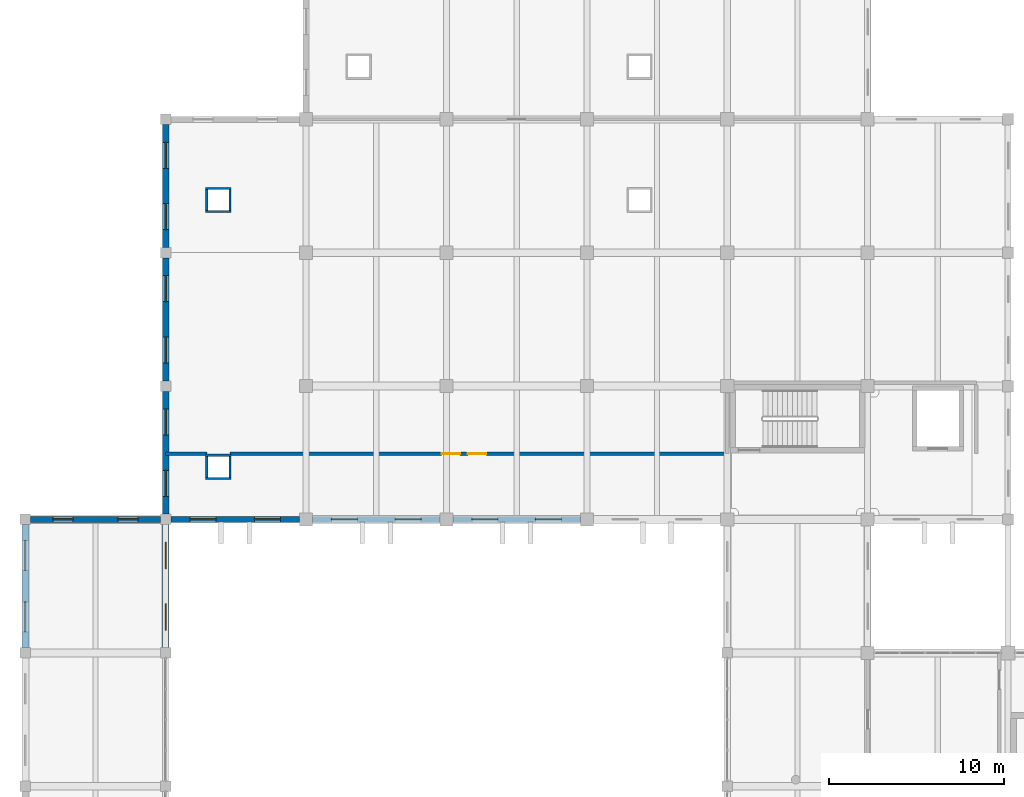
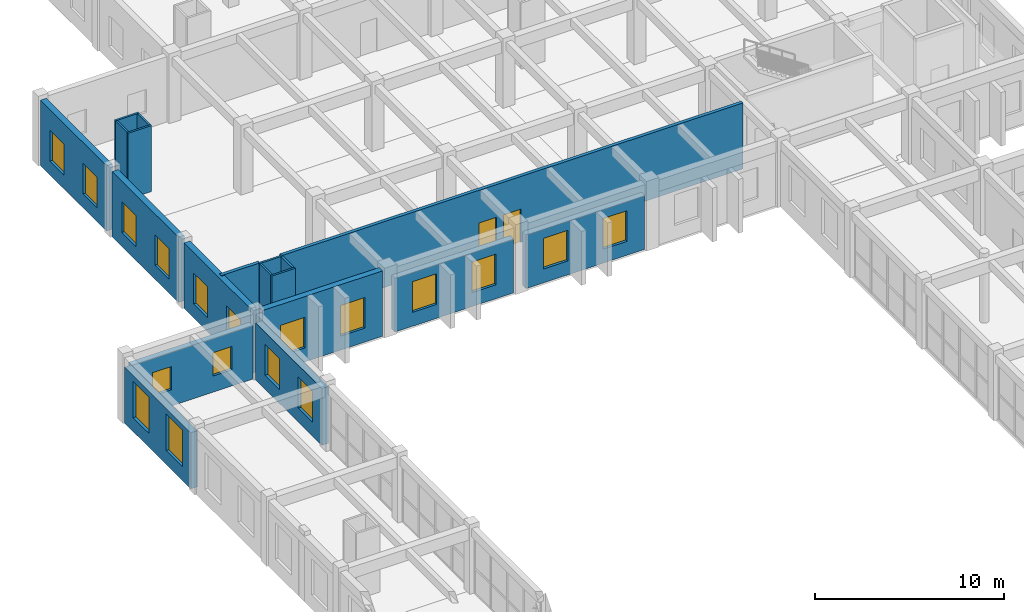
# One storey, part 57 of 79: 19 walls, 18 windows, 2 doors, 20 openings.
"""IFC4 building model written with IfcOpenShell, lengths in metres."""

from ifc_helpers import new_model, si_unit, direction, frame, frame_2d, origin, place, context, subcontext, project, spatial, rectangle, extrude, material, layer, layer_set, type_object, element, fill, save


model = new_model("IFC4")

# Units and contexts
model_context = context("Model", 3, precision=1e-05, world=origin(), true_north=direction((0.0, 1.0)))
body_context = subcontext(model_context, "Body", "Model", "MODEL_VIEW")
ifc_project = project(units=[si_unit("LENGTHUNIT", "METRE"), si_unit("AREAUNIT", "SQUARE_METRE"), si_unit("VOLUMEUNIT", "CUBIC_METRE"), si_unit("PLANEANGLEUNIT", "RADIAN"), si_unit("MASSUNIT", "GRAM", prefix="KILO")], contexts=[model_context])

# Site, building, storey
site_placement = place(None, origin())
site = spatial("IfcSite", under=ifc_project, at=site_placement, CompositionType="ELEMENT")
building_placement = place(site_placement, origin())
building = spatial("IfcBuilding", under=site, at=building_placement, Name="Zantavel Square City Hall", CompositionType="ELEMENT")
storey_placement = place(building_placement, frame((0.0, 0.0, 10.199951171875)))
storey = spatial("IfcBuildingStorey", under=building, at=storey_placement, Name="L03", CompositionType="ELEMENT", Elevation=10.199951171875)

# Wall, openings, windows
ifc_material_1 = material(Name="Cantera volcanic tuff stone", Category="masonry")
ifc_layer_1 = layer(ifc_material_1, 0.39990234375, Name="Cantera volcanic tuff stone")
ifc_layer_set_1 = layer_set([ifc_layer_1], Name="Cantera volcanic tuff stone")
wall_type_1 = type_object("IfcWallType", Name="Civic Pavilion Cantera Ashlar Wall 400mm", PredefinedType="STANDARD", material=ifc_layer_set_1)
wall_1_placement = place(storey_placement, frame((8.0, 68.699951171875, 0.0), z_axis=(0.0, 0.0, 1.0), x_axis=(0.0, 1.0, 0.0)))
wall_1 = element("IfcWall", 1, at=wall_1_placement, inside=storey, type_object=wall_type_1, Name="L03 Exterior Wall EW-L03-061", PredefinedType="STANDARD", context=body_context, shape_type="SweptSolid", body=[
    extrude(rectangle(XDim=7.0, YDim=0.39990234375, at=frame_2d((3.5, 0.0))), origin(), (0.0, 0.0, 1.0), 3.6201171875),
])
opening_1_placement = place(wall_1_placement, frame((0.89990234375, 0.0, 0.89990234375)))
opening_1 = element("IfcOpeningElement", 2, at=opening_1_placement, cuts=wall_1, Name="Opening W-358", PredefinedType="OPENING", context=body_context, shape_type="SweptSolid", body=[
    extrude(rectangle(XDim=1.699951171875, YDim=2.35009765625, at=frame_2d((0.85009765625, 1.175048828125))), frame((0.0, 0.2099609375, 0.0), z_axis=(0.0, -1.0, 0.0), x_axis=(1.0, 0.0, 0.0)), (0.0, 0.0, 1.0), 0.419921875),
])
opening_2_placement = place(wall_1_placement, frame((4.39990234375, 0.0, 0.89990234375)))
opening_2 = element("IfcOpeningElement", 3, at=opening_2_placement, cuts=wall_1, Name="Opening W-359", PredefinedType="OPENING", context=body_context, shape_type="SweptSolid", body=[
    extrude(rectangle(XDim=1.699951171875, YDim=2.35009765625, at=frame_2d((0.85009765625, 1.175048828125))), frame((0.0, 0.2099609375, 0.0), z_axis=(0.0, -1.0, 0.0), x_axis=(1.0, 0.0, 0.0)), (0.0, 0.0, 1.0), 0.419921875),
])
ifc_material_2 = material(Name="Tempered safety glass low-E double glazing", Category="glass")
window_type_1 = type_object("IfcWindowType", Name="Window Library Reading Tall 1700x2350", PartitioningType="DOUBLE_PANEL_VERTICAL", PredefinedType="WINDOW", material=ifc_material_2)
window_1_placement = place(opening_1_placement, origin())
window_1 = element("IfcWindow", 4, at=window_1_placement, inside=storey, type_object=window_type_1, Name="L03 Window W-358", OverallHeight=2.35009765625, OverallWidth=1.699951171875, PartitioningType="DOUBLE_PANEL_VERTICAL", PredefinedType="WINDOW", context=body_context, shape_type="SweptSolid", body=[
    extrude(rectangle(XDim=1.699951171875, YDim=2.35009765625, at=frame_2d((0.85009765625, 1.175048828125))), frame((0.0, 0.030029296875, 0.0), z_axis=(0.0, -1.0, 0.0), x_axis=(1.0, 0.0, 0.0)), (0.0, 0.0, 1.0), 0.06005859375),
])
fill(opening_1, window_1)
window_2_placement = place(opening_2_placement, origin())
window_2 = element("IfcWindow", 5, at=window_2_placement, inside=storey, type_object=window_type_1, Name="L03 Window W-359", OverallHeight=2.35009765625, OverallWidth=1.699951171875, PartitioningType="DOUBLE_PANEL_VERTICAL", PredefinedType="WINDOW", context=body_context, shape_type="SweptSolid", body=[
    extrude(rectangle(XDim=1.699951171875, YDim=2.35009765625, at=frame_2d((0.85009765625, 1.175048828125))), frame((0.0, 0.030029296875, 0.0), z_axis=(0.0, -1.0, 0.0), x_axis=(1.0, 0.0, 0.0)), (0.0, 0.0, 1.0), 0.06005859375),
])
fill(opening_2, window_2)

wall_2_placement = place(storey_placement, frame((16.0, 75.699951171875, 0.0), z_axis=(0.0, 0.0, 1.0), x_axis=(0.0, -1.0, 0.0)))
wall_2 = element("IfcWall", 6, at=wall_2_placement, inside=storey, type_object=wall_type_1, Name="L03 Exterior Wall EW-L03-079", PredefinedType="STANDARD", context=body_context, shape_type="SweptSolid", body=[
    extrude(rectangle(XDim=7.0, YDim=0.39990234375, at=frame_2d((3.5, 0.0))), origin(), (0.0, 0.0, 1.0), 3.670166015625),
])
opening_3_placement = place(wall_2_placement, frame((1.0, 0.0, 0.89990234375)))
opening_3 = element("IfcOpeningElement", 7, at=opening_3_placement, cuts=wall_2, Name="Opening W-382", PredefinedType="OPENING", context=body_context, shape_type="SweptSolid", body=[
    extrude(rectangle(XDim=1.5, YDim=2.0, at=frame_2d((0.75, 1.0))), frame((0.0, 0.2099609375, 0.0), z_axis=(0.0, -1.0, 0.0), x_axis=(1.0, 0.0, 0.0)), (0.0, 0.0, 1.0), 0.419921875),
])
opening_4_placement = place(wall_2_placement, frame((4.5, 0.0, 0.89990234375)))
opening_4 = element("IfcOpeningElement", 8, at=opening_4_placement, cuts=wall_2, Name="Opening W-383", PredefinedType="OPENING", context=body_context, shape_type="SweptSolid", body=[
    extrude(rectangle(XDim=1.5, YDim=2.0, at=frame_2d((0.75, 1.0))), frame((0.0, 0.2099609375, 0.0), z_axis=(0.0, -1.0, 0.0), x_axis=(1.0, 0.0, 0.0)), (0.0, 0.0, 1.0), 0.419921875),
])
window_type_2 = type_object("IfcWindowType", Name="Window Planning Studio 1500x2000", PartitioningType="DOUBLE_PANEL_VERTICAL", PredefinedType="WINDOW", material=ifc_material_2)
window_3_placement = place(opening_3_placement, origin())
window_3 = element("IfcWindow", 9, at=window_3_placement, inside=storey, type_object=window_type_2, Name="L03 Window W-382", OverallHeight=2.0, OverallWidth=1.5, PartitioningType="DOUBLE_PANEL_VERTICAL", PredefinedType="WINDOW", context=body_context, shape_type="SweptSolid", body=[
    extrude(rectangle(XDim=1.5, YDim=2.0, at=frame_2d((0.75, 1.0))), frame((0.0, 0.030029296875, 0.0), z_axis=(0.0, -1.0, 0.0), x_axis=(1.0, 0.0, 0.0)), (0.0, 0.0, 1.0), 0.06005859375),
])
fill(opening_3, window_3)
window_4_placement = place(opening_4_placement, origin())
window_4 = element("IfcWindow", 10, at=window_4_placement, inside=storey, type_object=window_type_2, Name="L03 Window W-383", OverallHeight=2.0, OverallWidth=1.5, PartitioningType="DOUBLE_PANEL_VERTICAL", PredefinedType="WINDOW", context=body_context, shape_type="SweptSolid", body=[
    extrude(rectangle(XDim=1.5, YDim=2.0, at=frame_2d((0.75, 1.0))), frame((0.0, 0.030029296875, 0.0), z_axis=(0.0, -1.0, 0.0), x_axis=(1.0, 0.0, 0.0)), (0.0, 0.0, 1.0), 0.06005859375),
])
fill(opening_4, window_4)

ifc_layer_2 = layer(ifc_material_1, 0.360107421875, Name="Cantera volcanic tuff stone")
ifc_layer_set_2 = layer_set([ifc_layer_2], Name="Cantera volcanic tuff stone")
wall_type_2 = type_object("IfcWallType", Name="Courtyard Cantera Facade Wall 360mm", PredefinedType="STANDARD", material=ifc_layer_set_2)
wall_3_placement = place(storey_placement, frame((16.0, 76.300048828125, 0.0), z_axis=(0.0, 0.0, 1.0), x_axis=(0.0, 1.0, 0.0)))
wall_3 = element("IfcWall", 11, at=wall_3_placement, inside=storey, type_object=wall_type_2, Name="L03 Exterior Wall EW-L03-002", PredefinedType="STANDARD", context=body_context, shape_type="SweptSolid", body=[
    extrude(rectangle(XDim=7.0, YDim=0.360107421875, at=frame_2d((3.5, 0.0))), origin(), (0.0, 0.0, 1.0), 4.219970703125),
])
opening_5_placement = place(wall_3_placement, frame((1.010009765625, 0.0, 0.89990234375)))
opening_5 = element("IfcOpeningElement", 12, at=opening_5_placement, cuts=wall_3, Name="Opening W-288", PredefinedType="OPENING", context=body_context, shape_type="SweptSolid", body=[
    extrude(rectangle(XDim=1.47998046875, YDim=1.97998046875, at=frame_2d((0.739990234375, 0.989990234375))), frame((0.0, 0.18994140625, 0.0), z_axis=(0.0, -1.0, 0.0), x_axis=(1.0, 0.0, 0.0)), (0.0, 0.0, 1.0), 0.380126953125),
])
opening_6_placement = place(wall_3_placement, frame((4.510009765625, 0.0, 0.89990234375)))
opening_6 = element("IfcOpeningElement", 13, at=opening_6_placement, cuts=wall_3, Name="Opening W-289", PredefinedType="OPENING", context=body_context, shape_type="SweptSolid", body=[
    extrude(rectangle(XDim=1.47998046875, YDim=1.97998046875, at=frame_2d((0.739990234375, 0.989990234375))), frame((0.0, 0.18994140625, 0.0), z_axis=(0.0, -1.0, 0.0), x_axis=(1.0, 0.0, 0.0)), (0.0, 0.0, 1.0), 0.380126953125),
])
window_type_3 = type_object("IfcWindowType", Name="Window Cadastral Studio 1480x1980", PartitioningType="DOUBLE_PANEL_VERTICAL", PredefinedType="WINDOW", material=ifc_material_2)
window_5_placement = place(opening_5_placement, origin())
window_5 = element("IfcWindow", 14, at=window_5_placement, inside=storey, type_object=window_type_3, Name="L03 Window W-288", OverallHeight=1.97998046875, OverallWidth=1.47998046875, PartitioningType="DOUBLE_PANEL_VERTICAL", PredefinedType="WINDOW", context=body_context, shape_type="SweptSolid", body=[
    extrude(rectangle(XDim=1.47998046875, YDim=1.97998046875, at=frame_2d((0.739990234375, 0.989990234375))), frame((0.0, 0.030029296875, 0.0), z_axis=(0.0, -1.0, 0.0), x_axis=(1.0, 0.0, 0.0)), (0.0, 0.0, 1.0), 0.06005859375),
])
fill(opening_5, window_5)
window_6_placement = place(opening_6_placement, origin())
window_6 = element("IfcWindow", 15, at=window_6_placement, inside=storey, type_object=window_type_3, Name="L03 Window W-289", OverallHeight=1.97998046875, OverallWidth=1.47998046875, PartitioningType="DOUBLE_PANEL_VERTICAL", PredefinedType="WINDOW", context=body_context, shape_type="SweptSolid", body=[
    extrude(rectangle(XDim=1.47998046875, YDim=1.97998046875, at=frame_2d((0.739990234375, 0.989990234375))), frame((0.0, 0.030029296875, 0.0), z_axis=(0.0, -1.0, 0.0), x_axis=(1.0, 0.0, 0.0)), (0.0, 0.0, 1.0), 0.06005859375),
])
fill(opening_6, window_6)

wall_4_placement = place(storey_placement, frame((16.0, 83.89990234375, 0.0), z_axis=(0.0, 0.0, 1.0), x_axis=(0.0, 1.0, 0.0)))
wall_4 = element("IfcWall", 16, at=wall_4_placement, inside=storey, type_object=wall_type_2, Name="L03 Exterior Wall EW-L03-003", PredefinedType="STANDARD", context=body_context, shape_type="SweptSolid", body=[
    extrude(rectangle(XDim=7.0, YDim=0.360107421875, at=frame_2d((3.5, 0.0))), origin(), (0.0, 0.0, 1.0), 4.219970703125),
])
opening_7_placement = place(wall_4_placement, frame((1.010009765625, 0.0, 0.89990234375)))
opening_7 = element("IfcOpeningElement", 17, at=opening_7_placement, cuts=wall_4, Name="Opening W-290", PredefinedType="OPENING", context=body_context, shape_type="SweptSolid", body=[
    extrude(rectangle(XDim=1.47998046875, YDim=1.97998046875, at=frame_2d((0.739990234375, 0.989990234375))), frame((0.0, 0.18994140625, 0.0), z_axis=(0.0, -1.0, 0.0), x_axis=(1.0, 0.0, 0.0)), (0.0, 0.0, 1.0), 0.380126953125),
])
opening_8_placement = place(wall_4_placement, frame((4.510009765625, 0.0, 0.89990234375)))
opening_8 = element("IfcOpeningElement", 18, at=opening_8_placement, cuts=wall_4, Name="Opening W-291", PredefinedType="OPENING", context=body_context, shape_type="SweptSolid", body=[
    extrude(rectangle(XDim=1.47998046875, YDim=1.97998046875, at=frame_2d((0.739990234375, 0.989990234375))), frame((0.0, 0.18994140625, 0.0), z_axis=(0.0, -1.0, 0.0), x_axis=(1.0, 0.0, 0.0)), (0.0, 0.0, 1.0), 0.380126953125),
])
window_7_placement = place(opening_7_placement, origin())
window_7 = element("IfcWindow", 19, at=window_7_placement, inside=storey, type_object=window_type_3, Name="L03 Window W-290", OverallHeight=1.97998046875, OverallWidth=1.47998046875, PartitioningType="DOUBLE_PANEL_VERTICAL", PredefinedType="WINDOW", context=body_context, shape_type="SweptSolid", body=[
    extrude(rectangle(XDim=1.47998046875, YDim=1.97998046875, at=frame_2d((0.739990234375, 0.989990234375))), frame((0.0, 0.030029296875, 0.0), z_axis=(0.0, -1.0, 0.0), x_axis=(1.0, 0.0, 0.0)), (0.0, 0.0, 1.0), 0.06005859375),
])
fill(opening_7, window_7)
window_8_placement = place(opening_8_placement, origin())
window_8 = element("IfcWindow", 20, at=window_8_placement, inside=storey, type_object=window_type_3, Name="L03 Window W-291", OverallHeight=1.97998046875, OverallWidth=1.47998046875, PartitioningType="DOUBLE_PANEL_VERTICAL", PredefinedType="WINDOW", context=body_context, shape_type="SweptSolid", body=[
    extrude(rectangle(XDim=1.47998046875, YDim=1.97998046875, at=frame_2d((0.739990234375, 0.989990234375))), frame((0.0, 0.030029296875, 0.0), z_axis=(0.0, -1.0, 0.0), x_axis=(1.0, 0.0, 0.0)), (0.0, 0.0, 1.0), 0.06005859375),
])
fill(opening_8, window_8)

wall_5_placement = place(storey_placement, frame((16.0, 91.5, 0.0), z_axis=(0.0, 0.0, 1.0), x_axis=(0.0, 1.0, 0.0)))
wall_5 = element("IfcWall", 21, at=wall_5_placement, inside=storey, type_object=wall_type_2, Name="L03 Exterior Wall EW-L03-004", PredefinedType="STANDARD", context=body_context, shape_type="SweptSolid", body=[
    extrude(rectangle(XDim=7.0, YDim=0.360107421875, at=frame_2d((3.5, 0.0))), origin(), (0.0, 0.0, 1.0), 4.219970703125),
])
opening_9_placement = place(wall_5_placement, frame((1.010009765625, 0.0, 0.89990234375)))
opening_9 = element("IfcOpeningElement", 22, at=opening_9_placement, cuts=wall_5, Name="Opening W-292", PredefinedType="OPENING", context=body_context, shape_type="SweptSolid", body=[
    extrude(rectangle(XDim=1.47998046875, YDim=1.97998046875, at=frame_2d((0.739990234375, 0.989990234375))), frame((0.0, 0.18994140625, 0.0), z_axis=(0.0, -1.0, 0.0), x_axis=(1.0, 0.0, 0.0)), (0.0, 0.0, 1.0), 0.380126953125),
])
opening_10_placement = place(wall_5_placement, frame((4.510009765625, 0.0, 0.89990234375)))
opening_10 = element("IfcOpeningElement", 23, at=opening_10_placement, cuts=wall_5, Name="Opening W-293", PredefinedType="OPENING", context=body_context, shape_type="SweptSolid", body=[
    extrude(rectangle(XDim=1.47998046875, YDim=1.97998046875, at=frame_2d((0.739990234375, 0.989990234375))), frame((0.0, 0.18994140625, 0.0), z_axis=(0.0, -1.0, 0.0), x_axis=(1.0, 0.0, 0.0)), (0.0, 0.0, 1.0), 0.380126953125),
])
window_9_placement = place(opening_9_placement, origin())
window_9 = element("IfcWindow", 24, at=window_9_placement, inside=storey, type_object=window_type_3, Name="L03 Window W-292", OverallHeight=1.97998046875, OverallWidth=1.47998046875, PartitioningType="DOUBLE_PANEL_VERTICAL", PredefinedType="WINDOW", context=body_context, shape_type="SweptSolid", body=[
    extrude(rectangle(XDim=1.47998046875, YDim=1.97998046875, at=frame_2d((0.739990234375, 0.989990234375))), frame((0.0, 0.030029296875, 0.0), z_axis=(0.0, -1.0, 0.0), x_axis=(1.0, 0.0, 0.0)), (0.0, 0.0, 1.0), 0.06005859375),
])
fill(opening_9, window_9)
window_10_placement = place(opening_10_placement, origin())
window_10 = element("IfcWindow", 25, at=window_10_placement, inside=storey, type_object=window_type_3, Name="L03 Window W-293", OverallHeight=1.97998046875, OverallWidth=1.47998046875, PartitioningType="DOUBLE_PANEL_VERTICAL", PredefinedType="WINDOW", context=body_context, shape_type="SweptSolid", body=[
    extrude(rectangle(XDim=1.47998046875, YDim=1.97998046875, at=frame_2d((0.739990234375, 0.989990234375))), frame((0.0, 0.030029296875, 0.0), z_axis=(0.0, -1.0, 0.0), x_axis=(1.0, 0.0, 0.0)), (0.0, 0.0, 1.0), 0.06005859375),
])
fill(opening_10, window_10)

wall_6_placement = place(storey_placement, frame((39.625, 76.0, 0.0), z_axis=(0.0, 0.0, 1.0), x_axis=(-1.0, 0.0, 0.0)))
wall_6 = element("IfcWall", 26, at=wall_6_placement, inside=storey, type_object=wall_type_2, Name="L03 Exterior Wall EW-L03-076", PredefinedType="STANDARD", context=body_context, shape_type="SweptSolid", body=[
    extrude(rectangle(XDim=7.25, YDim=0.360107421875, at=frame_2d((3.625, 0.0))), origin(), (0.0, 0.0, 1.0), 3.469970703125),
])
opening_11_placement = place(wall_6_placement, frame((1.072509765625, 0.0, 0.89990234375)))
opening_11 = element("IfcOpeningElement", 27, at=opening_11_placement, cuts=wall_6, Name="Opening W-376", PredefinedType="OPENING", context=body_context, shape_type="SweptSolid", body=[
    extrude(rectangle(XDim=1.47998046875, YDim=1.97998046875, at=frame_2d((0.739990234375, 0.989990234375))), frame((0.0, 0.18994140625, 0.0), z_axis=(0.0, -1.0, 0.0), x_axis=(1.0, 0.0, 0.0)), (0.0, 0.0, 1.0), 0.380126953125),
])
opening_12_placement = place(wall_6_placement, frame((4.697509765625, 0.0, 0.89990234375)))
opening_12 = element("IfcOpeningElement", 28, at=opening_12_placement, cuts=wall_6, Name="Opening W-377", PredefinedType="OPENING", context=body_context, shape_type="SweptSolid", body=[
    extrude(rectangle(XDim=1.47998046875, YDim=1.97998046875, at=frame_2d((0.739990234375, 0.989990234375))), frame((0.0, 0.18994140625, 0.0), z_axis=(0.0, -1.0, 0.0), x_axis=(1.0, 0.0, 0.0)), (0.0, 0.0, 1.0), 0.380126953125),
])
window_11_placement = place(opening_11_placement, origin())
window_11 = element("IfcWindow", 29, at=window_11_placement, inside=storey, type_object=window_type_3, Name="L03 Window W-376", OverallHeight=1.97998046875, OverallWidth=1.47998046875, PartitioningType="DOUBLE_PANEL_VERTICAL", PredefinedType="WINDOW", context=body_context, shape_type="SweptSolid", body=[
    extrude(rectangle(XDim=1.47998046875, YDim=1.97998046875, at=frame_2d((0.739990234375, 0.989990234375))), frame((0.0, 0.030029296875, 0.0), z_axis=(0.0, -1.0, 0.0), x_axis=(1.0, 0.0, 0.0)), (0.0, 0.0, 1.0), 0.06005859375),
])
fill(opening_11, window_11)
window_12_placement = place(opening_12_placement, origin())
window_12 = element("IfcWindow", 30, at=window_12_placement, inside=storey, type_object=window_type_3, Name="L03 Window W-377", OverallHeight=1.97998046875, OverallWidth=1.47998046875, PartitioningType="DOUBLE_PANEL_VERTICAL", PredefinedType="WINDOW", context=body_context, shape_type="SweptSolid", body=[
    extrude(rectangle(XDim=1.47998046875, YDim=1.97998046875, at=frame_2d((0.739990234375, 0.989990234375))), frame((0.0, 0.030029296875, 0.0), z_axis=(0.0, -1.0, 0.0), x_axis=(1.0, 0.0, 0.0)), (0.0, 0.0, 1.0), 0.06005859375),
])
fill(opening_12, window_12)

wall_7_placement = place(storey_placement, frame((31.625, 76.0, 0.0), z_axis=(0.0, 0.0, 1.0), x_axis=(-1.0, 0.0, 0.0)))
wall_7 = element("IfcWall", 31, at=wall_7_placement, inside=storey, type_object=wall_type_2, Name="L03 Exterior Wall EW-L03-077", PredefinedType="STANDARD", context=body_context, shape_type="SweptSolid", body=[
    extrude(rectangle(XDim=7.25, YDim=0.360107421875, at=frame_2d((3.625, 0.0))), origin(), (0.0, 0.0, 1.0), 3.469970703125),
])
opening_13_placement = place(wall_7_placement, frame((1.072509765625, 0.0, 0.89990234375)))
opening_13 = element("IfcOpeningElement", 32, at=opening_13_placement, cuts=wall_7, Name="Opening W-378", PredefinedType="OPENING", context=body_context, shape_type="SweptSolid", body=[
    extrude(rectangle(XDim=1.47998046875, YDim=1.97998046875, at=frame_2d((0.739990234375, 0.989990234375))), frame((0.0, 0.18994140625, 0.0), z_axis=(0.0, -1.0, 0.0), x_axis=(1.0, 0.0, 0.0)), (0.0, 0.0, 1.0), 0.380126953125),
])
opening_14_placement = place(wall_7_placement, frame((4.697509765625, 0.0, 0.89990234375)))
opening_14 = element("IfcOpeningElement", 33, at=opening_14_placement, cuts=wall_7, Name="Opening W-379", PredefinedType="OPENING", context=body_context, shape_type="SweptSolid", body=[
    extrude(rectangle(XDim=1.47998046875, YDim=1.97998046875, at=frame_2d((0.739990234375, 0.989990234375))), frame((0.0, 0.18994140625, 0.0), z_axis=(0.0, -1.0, 0.0), x_axis=(1.0, 0.0, 0.0)), (0.0, 0.0, 1.0), 0.380126953125),
])
window_13_placement = place(opening_13_placement, origin())
window_13 = element("IfcWindow", 34, at=window_13_placement, inside=storey, type_object=window_type_3, Name="L03 Window W-378", OverallHeight=1.97998046875, OverallWidth=1.47998046875, PartitioningType="DOUBLE_PANEL_VERTICAL", PredefinedType="WINDOW", context=body_context, shape_type="SweptSolid", body=[
    extrude(rectangle(XDim=1.47998046875, YDim=1.97998046875, at=frame_2d((0.739990234375, 0.989990234375))), frame((0.0, 0.030029296875, 0.0), z_axis=(0.0, -1.0, 0.0), x_axis=(1.0, 0.0, 0.0)), (0.0, 0.0, 1.0), 0.06005859375),
])
fill(opening_13, window_13)
window_14_placement = place(opening_14_placement, origin())
window_14 = element("IfcWindow", 35, at=window_14_placement, inside=storey, type_object=window_type_3, Name="L03 Window W-379", OverallHeight=1.97998046875, OverallWidth=1.47998046875, PartitioningType="DOUBLE_PANEL_VERTICAL", PredefinedType="WINDOW", context=body_context, shape_type="SweptSolid", body=[
    extrude(rectangle(XDim=1.47998046875, YDim=1.97998046875, at=frame_2d((0.739990234375, 0.989990234375))), frame((0.0, 0.030029296875, 0.0), z_axis=(0.0, -1.0, 0.0), x_axis=(1.0, 0.0, 0.0)), (0.0, 0.0, 1.0), 0.06005859375),
])
fill(opening_14, window_14)

wall_8_placement = place(storey_placement, frame((23.625, 76.0, 0.0), z_axis=(0.0, 0.0, 1.0), x_axis=(-1.0, 0.0, 0.0)))
wall_8 = element("IfcWall", 36, at=wall_8_placement, inside=storey, type_object=wall_type_2, Name="L03 Exterior Wall EW-L03-078", PredefinedType="STANDARD", context=body_context, shape_type="SweptSolid", body=[
    extrude(rectangle(XDim=7.324951171875, YDim=0.360107421875, at=frame_2d((3.66259765625, 0.0))), origin(), (0.0, 0.0, 1.0), 4.219970703125),
])
opening_15_placement = place(wall_8_placement, frame((1.09130859375, 0.0, 0.89990234375)))
opening_15 = element("IfcOpeningElement", 37, at=opening_15_placement, cuts=wall_8, Name="Opening W-380", PredefinedType="OPENING", context=body_context, shape_type="SweptSolid", body=[
    extrude(rectangle(XDim=1.47998046875, YDim=1.97998046875, at=frame_2d((0.739990234375, 0.989990234375))), frame((0.0, 0.18994140625, 0.0), z_axis=(0.0, -1.0, 0.0), x_axis=(1.0, 0.0, 0.0)), (0.0, 0.0, 1.0), 0.380126953125),
])
opening_16_placement = place(wall_8_placement, frame((4.753662109375, 0.0, 0.89990234375)))
opening_16 = element("IfcOpeningElement", 38, at=opening_16_placement, cuts=wall_8, Name="Opening W-381", PredefinedType="OPENING", context=body_context, shape_type="SweptSolid", body=[
    extrude(rectangle(XDim=1.47998046875, YDim=1.97998046875, at=frame_2d((0.739990234375, 0.989990234375))), frame((0.0, 0.18994140625, 0.0), z_axis=(0.0, -1.0, 0.0), x_axis=(1.0, 0.0, 0.0)), (0.0, 0.0, 1.0), 0.380126953125),
])
window_15_placement = place(opening_15_placement, origin())
window_15 = element("IfcWindow", 39, at=window_15_placement, inside=storey, type_object=window_type_3, Name="L03 Window W-380", OverallHeight=1.97998046875, OverallWidth=1.47998046875, PartitioningType="DOUBLE_PANEL_VERTICAL", PredefinedType="WINDOW", context=body_context, shape_type="SweptSolid", body=[
    extrude(rectangle(XDim=1.47998046875, YDim=1.97998046875, at=frame_2d((0.739990234375, 0.989990234375))), frame((0.0, 0.030029296875, 0.0), z_axis=(0.0, -1.0, 0.0), x_axis=(1.0, 0.0, 0.0)), (0.0, 0.0, 1.0), 0.06005859375),
])
fill(opening_15, window_15)
window_16_placement = place(opening_16_placement, origin())
window_16 = element("IfcWindow", 40, at=window_16_placement, inside=storey, type_object=window_type_3, Name="L03 Window W-381", OverallHeight=1.97998046875, OverallWidth=1.47998046875, PartitioningType="DOUBLE_PANEL_VERTICAL", PredefinedType="WINDOW", context=body_context, shape_type="SweptSolid", body=[
    extrude(rectangle(XDim=1.47998046875, YDim=1.97998046875, at=frame_2d((0.739990234375, 0.989990234375))), frame((0.0, 0.030029296875, 0.0), z_axis=(0.0, -1.0, 0.0), x_axis=(1.0, 0.0, 0.0)), (0.0, 0.0, 1.0), 0.06005859375),
])
fill(opening_16, window_16)

# Wall, openings, doors
ifc_layer_3 = layer(ifc_material_1, 0.199951171875, Name="Cantera volcanic tuff stone")
ifc_layer_set_3 = layer_set([ifc_layer_3], Name="Cantera volcanic tuff stone")
wall_type_3 = type_object("IfcWallType", Name="Exit Corridor Rated Wall 200mm", PredefinedType="STANDARD", material=ifc_layer_set_3)
wall_9_placement = place(storey_placement, frame((47.85009765625, 79.75, 0.0), z_axis=(0.0, 0.0, 1.0), x_axis=(-1.0, 0.0, 0.0)))
wall_9 = element("IfcWall", 41, at=wall_9_placement, inside=storey, type_object=wall_type_3, Name="L03 Interior Wall IW-L03-0288", PredefinedType="STANDARD", context=body_context, shape_type="SweptSolid", body=[
    extrude(rectangle(XDim=28.195068359375, YDim=0.199951171875, at=frame_2d((14.09765625, 0.0))), origin(), (0.0, 0.0, 1.0), 4.260009765625),
])
opening_17_placement = place(wall_9_placement, frame((13.572509765625, 0.0, 0.0)))
opening_17 = element("IfcOpeningElement", 42, at=opening_17_placement, cuts=wall_9, Name="Opening D-0129", PredefinedType="OPENING", context=body_context, shape_type="SweptSolid", body=[
    extrude(rectangle(XDim=1.050048828125, YDim=2.14990234375, at=frame_2d((0.52490234375, 1.074951171875))), frame((0.0, 0.10986328125, 0.0), z_axis=(0.0, -1.0, 0.0), x_axis=(1.0, 0.0, 0.0)), (0.0, 0.0, 1.0), 0.219970703125),
])
opening_18_placement = place(wall_9_placement, frame((15.072509765625, 0.0, 0.0)))
opening_18 = element("IfcOpeningElement", 43, at=opening_18_placement, cuts=wall_9, Name="Opening D-0144", PredefinedType="OPENING", context=body_context, shape_type="SweptSolid", body=[
    extrude(rectangle(XDim=1.050048828125, YDim=2.14990234375, at=frame_2d((0.52490234375, 1.074951171875))), frame((0.0, 0.10986328125, 0.0), z_axis=(0.0, -1.0, 0.0), x_axis=(1.0, 0.0, 0.0)), (0.0, 0.0, 1.0), 0.219970703125),
])
ifc_material_3 = material(Name="Solid oak hardwood", Category="wood")
door_type = type_object("IfcDoorType", Name="Corridor Office Oak Fire Door 1050x2150 FD60S", OperationType="NOTDEFINED", PredefinedType="DOOR", material=ifc_material_3)
door_1_placement = place(opening_17_placement, origin())
door_1 = element("IfcDoor", 44, at=door_1_placement, inside=storey, type_object=door_type, Name="L03 Metropolitan GIS and Mobility Lab Door", OperationType="SINGLE_SWING_LEFT", OverallHeight=2.14990234375, OverallWidth=1.050048828125, PredefinedType="DOOR", context=body_context, shape_type="SweptSolid", body=[
    extrude(rectangle(XDim=1.050048828125, YDim=2.14990234375, at=frame_2d((0.52490234375, 1.074951171875))), frame((0.0, 0.02490234375, 0.0), z_axis=(0.0, -1.0, 0.0), x_axis=(1.0, 0.0, 0.0)), (0.0, 0.0, 1.0), 0.050048828125),
])
fill(opening_17, door_1)
door_2_placement = place(opening_18_placement, origin())
door_2 = element("IfcDoor", 45, at=door_2_placement, inside=storey, type_object=door_type, Name="L03 Metropolitan GIS and Mobility Lab Door", OperationType="SINGLE_SWING_RIGHT", OverallHeight=2.14990234375, OverallWidth=1.050048828125, PredefinedType="DOOR", context=body_context, shape_type="SweptSolid", body=[
    extrude(rectangle(XDim=1.050048828125, YDim=2.14990234375, at=frame_2d((0.52490234375, 1.074951171875))), frame((0.0, 0.02490234375, 0.0), z_axis=(0.0, -1.0, 0.0), x_axis=(1.0, 0.0, 0.0)), (0.0, 0.0, 1.0), 0.050048828125),
])
fill(opening_18, door_2)

# Wall
wall_10_placement = place(storey_placement, frame((18.344970703125, 79.75, 0.0), z_axis=(0.0, 0.0, 1.0), x_axis=(-1.0, 0.0, 0.0)))
element("IfcWall", 46, at=wall_10_placement, inside=storey, type_object=wall_type_3, Name="L03 Interior Wall IW-L03-0289", PredefinedType="STANDARD", context=body_context, shape_type="SweptSolid", body=[
    extrude(rectangle(XDim=2.344970703125, YDim=0.199951171875, at=frame_2d((1.17236328125, 0.0))), origin(), (0.0, 0.0, 1.0), 4.260009765625),
])

# Wall, openings, windows
ifc_layer_4 = layer(ifc_material_1, 0.340087890625, Name="Cantera volcanic tuff stone")
ifc_layer_set_4 = layer_set([ifc_layer_4], Name="Cantera volcanic tuff stone")
wall_type_4 = type_object("IfcWallType", Name="North Insulated Cantera Wall 340mm", PredefinedType="STANDARD", material=ifc_layer_set_4)
wall_11_placement = place(storey_placement, frame((8.300048828125, 76.0, 0.0), z_axis=(0.0, 0.0, 1.0), x_axis=(1.0, 0.0, 0.0)))
wall_11 = element("IfcWall", 47, at=wall_11_placement, inside=storey, type_object=wall_type_4, Name="L03 Exterior Wall EW-L03-001", PredefinedType="STANDARD", context=body_context, shape_type="SweptSolid", body=[
    extrude(rectangle(XDim=7.39990234375, YDim=0.340087890625, at=frame_2d((3.699951171875, 0.0))), origin(), (0.0, 0.0, 1.0), 3.469970703125),
])
opening_19_placement = place(wall_11_placement, frame((1.27490234375, 0.0, 1.050048828125)))
opening_19 = element("IfcOpeningElement", 48, at=opening_19_placement, cuts=wall_11, Name="Opening W-286", PredefinedType="OPENING", context=body_context, shape_type="SweptSolid", body=[
    extrude(rectangle(XDim=1.14990234375, YDim=1.5, at=frame_2d((0.574951171875, 0.75))), frame((0.0, 0.179931640625, 0.0), z_axis=(0.0, -1.0, 0.0), x_axis=(1.0, 0.0, 0.0)), (0.0, 0.0, 1.0), 0.360107421875),
])
opening_20_placement = place(wall_11_placement, frame((4.97509765625, 0.0, 1.050048828125)))
opening_20 = element("IfcOpeningElement", 49, at=opening_20_placement, cuts=wall_11, Name="Opening W-287", PredefinedType="OPENING", context=body_context, shape_type="SweptSolid", body=[
    extrude(rectangle(XDim=1.14990234375, YDim=1.5, at=frame_2d((0.574951171875, 0.75))), frame((0.0, 0.179931640625, 0.0), z_axis=(0.0, -1.0, 0.0), x_axis=(1.0, 0.0, 0.0)), (0.0, 0.0, 1.0), 0.360107421875),
])
window_type_4 = type_object("IfcWindowType", Name="Window Piano Nobile North 1150x1500", PartitioningType="SINGLE_PANEL", PredefinedType="WINDOW", material=ifc_material_2)
window_17_placement = place(opening_19_placement, origin())
window_17 = element("IfcWindow", 50, at=window_17_placement, inside=storey, type_object=window_type_4, Name="L03 Window W-286", OverallHeight=1.5, OverallWidth=1.14990234375, PartitioningType="SINGLE_PANEL", PredefinedType="WINDOW", context=body_context, shape_type="SweptSolid", body=[
    extrude(rectangle(XDim=1.14990234375, YDim=1.5, at=frame_2d((0.574951171875, 0.75))), frame((0.0, 0.030029296875, 0.0), z_axis=(0.0, -1.0, 0.0), x_axis=(1.0, 0.0, 0.0)), (0.0, 0.0, 1.0), 0.06005859375),
])
fill(opening_19, window_17)
window_18_placement = place(opening_20_placement, origin())
window_18 = element("IfcWindow", 51, at=window_18_placement, inside=storey, type_object=window_type_4, Name="L03 Window W-287", OverallHeight=1.5, OverallWidth=1.14990234375, PartitioningType="SINGLE_PANEL", PredefinedType="WINDOW", context=body_context, shape_type="SweptSolid", body=[
    extrude(rectangle(XDim=1.14990234375, YDim=1.5, at=frame_2d((0.574951171875, 0.75))), frame((0.0, 0.030029296875, 0.0), z_axis=(0.0, -1.0, 0.0), x_axis=(1.0, 0.0, 0.0)), (0.0, 0.0, 1.0), 0.06005859375),
])
fill(opening_20, window_18)

# Walls
ifc_material_4 = material(Name="Concrete C35/45", Category="concrete")
ifc_layer_5 = layer(ifc_material_4, 0.1201171875, Name="Concrete C35/45")
ifc_layer_set_5 = layer_set([ifc_layer_5], Name="Concrete C35/45")
wall_type_5 = type_object("IfcWallType", Name="Riser Chase Wall RC 120mm C35/45", PredefinedType="PARTITIONING", material=ifc_layer_set_5)
wall_12_placement = place(storey_placement, frame((19.719970703125, 78.340087890625, 0.0), z_axis=(0.0, 0.0, 1.0), x_axis=(-1.0, 0.0, 0.0)))
element("IfcWall", 52, at=wall_12_placement, inside=storey, type_object=wall_type_5, Name="L03 MEP Riser 16 Wall S", PredefinedType="PARTITIONING", context=body_context, shape_type="SweptSolid", body=[
    extrude(rectangle(XDim=1.43994140625, YDim=0.1201171875, at=frame_2d((0.719970703125, 0.0))), origin(), (0.0, 0.0, 1.0), 4.260009765625),
])
wall_13_placement = place(storey_placement, frame((18.340087890625, 78.39990234375, 0.0), z_axis=(0.0, 0.0, 1.0), x_axis=(0.0, 1.0, 0.0)))
element("IfcWall", 53, at=wall_13_placement, inside=storey, type_object=wall_type_5, Name="L03 MEP Riser 16 Wall W", PredefinedType="PARTITIONING", context=body_context, shape_type="SweptSolid", body=[
    extrude(rectangle(XDim=1.2001953125, YDim=0.1201171875, at=frame_2d((0.60009765625, 0.0))), origin(), (0.0, 0.0, 1.0), 4.260009765625),
])
wall_14_placement = place(storey_placement, frame((18.280029296875, 79.659912109375, 0.0), z_axis=(0.0, 0.0, 1.0), x_axis=(1.0, 0.0, 0.0)))
element("IfcWall", 54, at=wall_14_placement, inside=storey, type_object=wall_type_5, Name="L03 MEP Riser 16 Wall N", PredefinedType="PARTITIONING", context=body_context, shape_type="SweptSolid", body=[
    extrude(rectangle(XDim=1.43994140625, YDim=0.1201171875, at=frame_2d((0.719970703125, 0.0))), origin(), (0.0, 0.0, 1.0), 4.260009765625),
])
wall_15_placement = place(storey_placement, frame((19.659912109375, 79.60009765625, 0.0), z_axis=(0.0, 0.0, 1.0), x_axis=(0.0, -1.0, 0.0)))
element("IfcWall", 55, at=wall_15_placement, inside=storey, type_object=wall_type_5, Name="L03 MEP Riser 16 Wall E", PredefinedType="PARTITIONING", context=body_context, shape_type="SweptSolid", body=[
    extrude(rectangle(XDim=1.2001953125, YDim=0.1201171875, at=frame_2d((0.60009765625, 0.0))), origin(), (0.0, 0.0, 1.0), 4.260009765625),
])
wall_16_placement = place(storey_placement, frame((19.719970703125, 93.5400390625, 0.0), z_axis=(0.0, 0.0, 1.0), x_axis=(-1.0, 0.0, 0.0)))
element("IfcWall", 56, at=wall_16_placement, inside=storey, type_object=wall_type_5, Name="L03 MEP Riser 17 Wall S", PredefinedType="PARTITIONING", context=body_context, shape_type="SweptSolid", body=[
    extrude(rectangle(XDim=1.43994140625, YDim=0.1201171875, at=frame_2d((0.719970703125, 0.0))), origin(), (0.0, 0.0, 1.0), 4.260009765625),
])
wall_17_placement = place(storey_placement, frame((18.340087890625, 93.60009765625, 0.0), z_axis=(0.0, 0.0, 1.0), x_axis=(0.0, 1.0, 0.0)))
element("IfcWall", 57, at=wall_17_placement, inside=storey, type_object=wall_type_5, Name="L03 MEP Riser 17 Wall W", PredefinedType="PARTITIONING", context=body_context, shape_type="SweptSolid", body=[
    extrude(rectangle(XDim=1.199951171875, YDim=0.1201171875, at=frame_2d((0.60009765625, 0.0))), origin(), (0.0, 0.0, 1.0), 4.260009765625),
])
wall_18_placement = place(storey_placement, frame((18.280029296875, 94.860107421875, 0.0), z_axis=(0.0, 0.0, 1.0), x_axis=(1.0, 0.0, 0.0)))
element("IfcWall", 58, at=wall_18_placement, inside=storey, type_object=wall_type_5, Name="L03 MEP Riser 17 Wall N", PredefinedType="PARTITIONING", context=body_context, shape_type="SweptSolid", body=[
    extrude(rectangle(XDim=1.43994140625, YDim=0.1201171875, at=frame_2d((0.719970703125, 0.0))), origin(), (0.0, 0.0, 1.0), 4.260009765625),
])
wall_19_placement = place(storey_placement, frame((19.659912109375, 94.800048828125, 0.0), z_axis=(0.0, 0.0, 1.0), x_axis=(0.0, -1.0, 0.0)))
element("IfcWall", 59, at=wall_19_placement, inside=storey, type_object=wall_type_5, Name="L03 MEP Riser 17 Wall E", PredefinedType="PARTITIONING", context=body_context, shape_type="SweptSolid", body=[
    extrude(rectangle(XDim=1.199951171875, YDim=0.1201171875, at=frame_2d((0.60009765625, 0.0))), origin(), (0.0, 0.0, 1.0), 4.260009765625),
])

save(model, "model.ifc")
